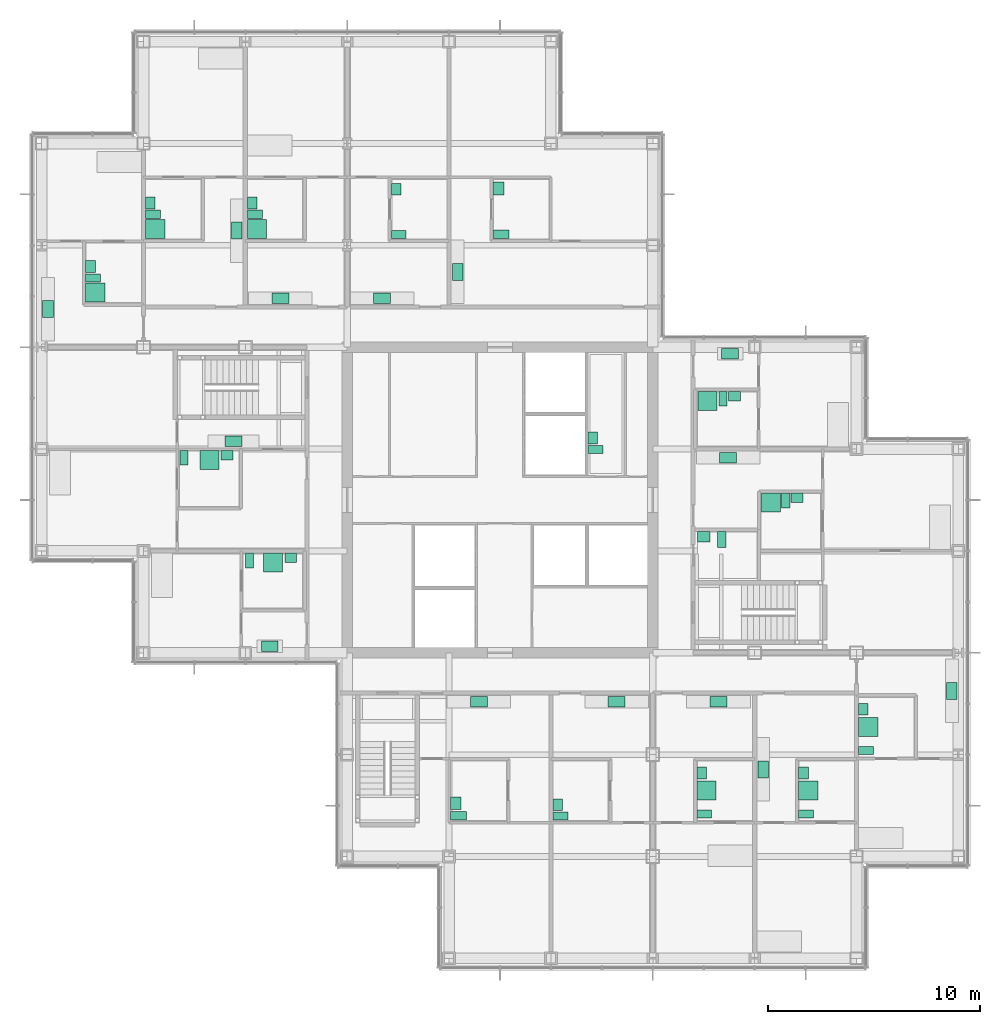
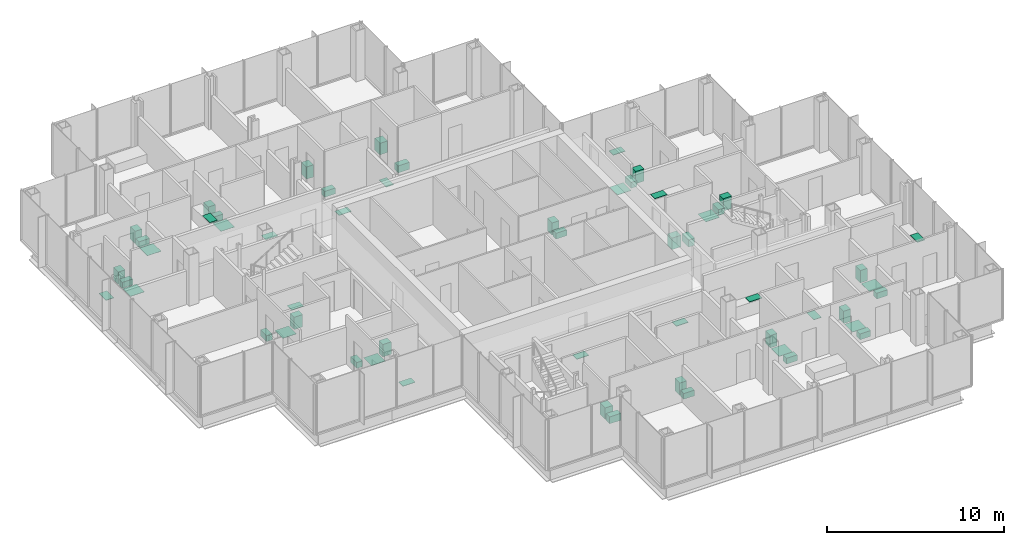
# One storey, part 19 of 20: 56 sanitary terminals.
"""IFC4 building model written with IfcOpenShell, lengths in metres."""

from ifc_helpers import new_model, si_unit, direction, frame, origin, origin_2d, place, context, subcontext, project, spatial, rectangle, extrude, material, type_object, element, save


model = new_model("IFC4")

# Units and contexts
model_context = context("Model", 3, precision=1e-05, world=origin(), true_north=direction((0.0, 1.0)))
body_context = subcontext(model_context, "Body", "Model", "MODEL_VIEW")
ifc_project = project(units=[si_unit("LENGTHUNIT", "METRE"), si_unit("AREAUNIT", "SQUARE_METRE"), si_unit("VOLUMEUNIT", "CUBIC_METRE"), si_unit("PLANEANGLEUNIT", "RADIAN"), si_unit("MASSUNIT", "GRAM", prefix="KILO")], contexts=[model_context])

# Site, building, storey
site_placement = place(None, origin())
site = spatial("IfcSite", under=ifc_project, at=site_placement, CompositionType="ELEMENT")
building_placement = place(site_placement, origin())
building = spatial("IfcBuilding", under=site, at=building_placement, Name="Kvirike Care Tower", CompositionType="ELEMENT")
storey_placement = place(building_placement, frame((0.0, 0.0, 112.0)))
storey = spatial("IfcBuildingStorey", under=building, at=storey_placement, Name="L30", CompositionType="ELEMENT", Elevation=112.0)

# Sanitary terminals
ifc_material_1 = material(Name="Vitreous china", Category="ceramic")
sanitary_terminal_type_1 = type_object("IfcSanitaryTerminalType", Name="ACCESSIBLE WASH BASIN 600 x 500", PredefinedType="WASHHANDBASIN", material=ifc_material_1)
for number, where, z_axis, x_axis, name in (
    (1, (19.511962890625, 21.7099609375, 0.02001953125), (0.0, 0.0, 1.0), (0.0, 1.0, 0.0), "Accessible wash basin L30-024"),
    (2, (21.527099609375, 50.675048828125, 0.02001953125), (0.0, 0.0, 1.0), (0.0, 1.0, 0.0), "Accessible wash basin L30-031"),
    (3, (31.199951171875, 34.27294921875, 0.02001953125), (0.0, 0.0, 1.0), (1.0, 0.0, 0.0), "Accessible wash basin L30-050"),
):
    element("IfcSanitaryTerminal", number, at=place(storey_placement, frame(where, z_axis=z_axis, x_axis=x_axis)), inside=storey, type_object=sanitary_terminal_type_1, Name=name, PredefinedType="WASHHANDBASIN", context=body_context, shape_type="SweptSolid", body=[
        extrude(rectangle(XDim=0.60009765625, YDim=0.5, at=origin_2d()), origin(), (0.0, 0.0, 1.0), 0.800048828125),
    ])
ifc_material_2 = material(Name="Vitreous china", Category="ceramic")
sanitary_terminal_type_2 = type_object("IfcSanitaryTerminalType", Name="ACCESSIBLE WC PAN 400 x 750", PredefinedType="TOILETPAN", material=ifc_material_2)
for number, where, z_axis, x_axis, name in (
    (4, (19.636962890625, 21.110107421875, 0.02001953125), (0.0, 0.0, 1.0), (0.0, 1.0, 0.0), "Accessible WC pan L30-024"),
    (5, (21.652099609375, 48.52490234375, 0.02001953125), (0.0, 0.0, 1.0), (0.0, 1.0, 0.0), "Accessible WC pan L30-031"),
    (6, (32.050048828125, 34.14794921875, 0.02001953125), (0.0, 0.0, 1.0), (1.0, 0.0, 0.0), "Accessible WC pan L30-050"),
):
    element("IfcSanitaryTerminal", number, at=place(storey_placement, frame(where, z_axis=z_axis, x_axis=x_axis)), inside=storey, type_object=sanitary_terminal_type_2, Name=name, PredefinedType="TOILETPAN", context=body_context, shape_type="SweptSolid", body=[
        extrude(rectangle(XDim=0.39990234375, YDim=0.75, at=origin_2d()), origin(), (0.0, 0.0, 1.0), 0.47998046875),
    ])
ifc_material_3 = material(Name="Stainless steel", Category="steel")
sanitary_terminal_type_3 = type_object("IfcSanitaryTerminalType", Name="KITCHEN SINK 800 x 500", PredefinedType="SINK", material=ifc_material_3)
for number, where, z_axis, x_axis, name in (
    (7, (9.050048828125, 38.761962890625, 0.89990234375), (0.0, 0.0, 1.0), (-1.0, 0.0, 0.0), "Kitchen sink L30-006"),
    (8, (10.75, 29.10205078125, 0.89990234375), (0.0, 0.0, 1.0), (-1.0, 0.0, 0.0), "Kitchen sink L30-010"),
    (9, (11.25, 45.501953125, 0.89990234375), (0.0, 0.0, 1.0), (-1.0, 0.0, 0.0), "Kitchen sink L30-014"),
    (10, (9.197998046875, 48.68994140625, 0.89990234375), (0.0, 0.0, 1.0), (0.0, -1.0, 0.0), "Kitchen sink L30-017"),
    (11, (0.302001953125, 44.993896484375, 0.89990234375), (0.0, 0.0, 1.0), (0.0, 1.0, 0.0), "Kitchen sink L30-020"),
    (12, (20.60009765625, 26.498046875, 0.89990234375), (0.0, 0.0, 1.0), (1.0, 0.0, 0.0), "Kitchen sink L30-025"),
    (13, (27.10009765625, 26.498046875, 0.89990234375), (0.0, 0.0, 1.0), (1.0, 0.0, 0.0), "Kitchen sink L30-028"),
    (14, (19.60205078125, 46.75, 0.89990234375), (0.0, 0.0, 1.0), (0.0, 1.0, 0.0), "Kitchen sink L30-032"),
    (15, (16.050048828125, 45.501953125, 0.89990234375), (0.0, 0.0, 1.0), (-1.0, 0.0, 0.0), "Kitchen sink L30-035"),
    (16, (31.89990234375, 26.498046875, 0.89990234375), (0.0, 0.0, 1.0), (1.0, 0.0, 0.0), "Kitchen sink L30-039"),
    (17, (34.001953125, 23.31005859375, 0.89990234375), (0.0, 0.0, 1.0), (0.0, 1.0, 0.0), "Kitchen sink L30-042"),
    (18, (42.89794921875, 27.006103515625, 0.89990234375), (0.0, 0.0, 1.0), (0.0, -1.0, 0.0), "Kitchen sink L30-045"),
    (19, (32.35009765625, 37.998046875, 0.89990234375), (0.0, 0.0, 1.0), (1.0, 0.0, 0.0), "Kitchen sink L30-052"),
    (20, (32.449951171875, 42.89794921875, 0.89990234375), (0.0, 0.0, 1.0), (1.0, 0.0, 0.0), "Kitchen sink L30-055"),
):
    element("IfcSanitaryTerminal", number, at=place(storey_placement, frame(where, z_axis=z_axis, x_axis=x_axis)), inside=storey, type_object=sanitary_terminal_type_3, Name=name, PredefinedType="SINK", context=body_context, shape_type="SweptSolid", body=[
        extrude(rectangle(XDim=0.800048828125, YDim=0.5, at=origin_2d()), origin(), (0.0, 0.0, 1.0), 0.030029296875),
    ])
ifc_material_4 = material(Name="Stainless steel", Category="steel")
sanitary_terminal_type_4 = type_object("IfcSanitaryTerminalType", Name="LEVEL-ACCESS SHOWER 900 x 900", PredefinedType="SHOWER", material=ifc_material_4)
for number, where, z_axis, x_axis, name in (
    (21, (7.909912109375, 37.887939453125, 0.02001953125), (0.0, 0.0, 1.0), (1.0, 0.0, 0.0), "Level-access shower L30-005"),
    (22, (10.909912109375, 33.048095703125, 0.02001953125), (0.0, 0.0, 1.0), (1.0, 0.0, 0.0), "Level-access shower L30-009"),
    (23, (10.152099609375, 48.77490234375, 0.02001953125), (0.0, 0.0, 1.0), (0.0, 1.0, 0.0), "Level-access shower L30-013"),
    (24, (5.35205078125, 48.77490234375, 0.02001953125), (0.0, 0.0, 1.0), (0.0, 1.0, 0.0), "Level-access shower L30-016"),
    (25, (2.527099609375, 45.77490234375, 0.02001953125), (0.0, 0.0, 1.0), (0.0, 1.0, 0.0), "Level-access shower L30-019"),
    (26, (31.326904296875, 22.31005859375, 0.02001953125), (0.0, 0.0, 1.0), (0.0, 1.0, 0.0), "Level-access shower L30-038"),
    (27, (36.126953125, 22.31005859375, 0.02001953125), (0.0, 0.0, 1.0), (0.0, 1.0, 0.0), "Level-access shower L30-041"),
    (28, (38.951904296875, 25.31005859375, 0.02001953125), (0.0, 0.0, 1.0), (0.0, 1.0, 0.0), "Level-access shower L30-044"),
    (29, (34.375, 35.873046875, 0.02001953125), (0.0, 0.0, 1.0), (1.0, 0.0, 0.0), "Level-access shower L30-051"),
    (30, (31.375, 40.673095703125, 0.02001953125), (0.0, 0.0, 1.0), (1.0, 0.0, 0.0), "Level-access shower L30-054"),
):
    element("IfcSanitaryTerminal", number, at=place(storey_placement, frame(where, z_axis=z_axis, x_axis=x_axis)), inside=storey, type_object=sanitary_terminal_type_4, Name=name, PredefinedType="SHOWER", context=body_context, shape_type="SweptSolid", body=[
        extrude(rectangle(XDim=0.89990234375, YDim=0.89990234375, at=origin_2d()), origin(), (0.0, 0.0, 1.0), 0.02001953125),
    ])
ifc_material_5 = material(Name="Vitreous china", Category="ceramic")
sanitary_terminal_type_5 = type_object("IfcSanitaryTerminalType", Name="WASH BASIN 550 x 450", PredefinedType="WASHHANDBASIN", material=ifc_material_5)
for number, where, z_axis, x_axis, name in (
    (31, (8.735107421875, 38.113037109375, 0.02001953125), (0.0, 0.0, 1.0), (1.0, 0.0, 0.0), "Wash basin L30-005"),
    (32, (11.735107421875, 33.27294921875, 0.02001953125), (0.0, 0.0, 1.0), (1.0, 0.0, 0.0), "Wash basin L30-009"),
    (33, (9.927001953125, 50.0, 0.02001953125), (0.0, 0.0, 1.0), (0.0, 1.0, 0.0), "Wash basin L30-013"),
    (34, (5.126953125, 50.0, 0.02001953125), (0.0, 0.0, 1.0), (0.0, 1.0, 0.0), "Wash basin L30-016"),
    (35, (2.302001953125, 47.0, 0.02001953125), (0.0, 0.0, 1.0), (0.0, 1.0, 0.0), "Wash basin L30-019"),
    (36, (24.326904296875, 21.635009765625, 0.02001953125), (0.0, 0.0, 1.0), (0.0, 1.0, 0.0), "Wash basin L30-027"),
    (37, (16.701904296875, 50.64990234375, 0.02001953125), (0.0, 0.0, 1.0), (0.0, 1.0, 0.0), "Wash basin L30-034"),
    (38, (31.10205078125, 23.135009765625, 0.02001953125), (0.0, 0.0, 1.0), (0.0, 1.0, 0.0), "Wash basin L30-038"),
    (39, (35.902099609375, 23.135009765625, 0.02001953125), (0.0, 0.0, 1.0), (0.0, 1.0, 0.0), "Wash basin L30-041"),
    (40, (38.72705078125, 26.135009765625, 0.02001953125), (0.0, 0.0, 1.0), (0.0, 1.0, 0.0), "Wash basin L30-044"),
    (41, (35.60009765625, 36.097900390625, 0.02001953125), (0.0, 0.0, 1.0), (1.0, 0.0, 0.0), "Wash basin L30-051"),
    (42, (32.64990234375, 40.89794921875, 0.02001953125), (0.0, 0.0, 1.0), (1.0, 0.0, 0.0), "Wash basin L30-054"),
    (43, (25.97705078125, 38.925048828125, 0.02001953125), (0.0, 0.0, 1.0), (0.0, 1.0, 0.0), "Wash basin L30-062"),
):
    element("IfcSanitaryTerminal", number, at=place(storey_placement, frame(where, z_axis=z_axis, x_axis=x_axis)), inside=storey, type_object=sanitary_terminal_type_5, Name=name, PredefinedType="WASHHANDBASIN", context=body_context, shape_type="SweptSolid", body=[
        extrude(rectangle(XDim=0.550048828125, YDim=0.449951171875, at=origin_2d()), origin(), (0.0, 0.0, 1.0), 0.85009765625),
    ])
ifc_material_6 = material(Name="Vitreous china", Category="ceramic")
sanitary_terminal_type_6 = type_object("IfcSanitaryTerminalType", Name="WC PAN 380 x 700", PredefinedType="TOILETPAN", material=ifc_material_6)
for number, where, z_axis, x_axis, name in (
    (44, (6.699951171875, 37.988037109375, 0.02001953125), (0.0, 0.0, 1.0), (1.0, 0.0, 0.0), "WC pan L30-005"),
    (45, (9.800048828125, 33.14794921875, 0.02001953125), (0.0, 0.0, 1.0), (1.0, 0.0, 0.0), "WC pan L30-009"),
    (46, (10.052001953125, 49.465087890625, 0.02001953125), (0.0, 0.0, 1.0), (0.0, 1.0, 0.0), "WC pan L30-013"),
    (47, (5.251953125, 49.465087890625, 0.02001953125), (0.0, 0.0, 1.0), (0.0, 1.0, 0.0), "WC pan L30-016"),
    (48, (2.427001953125, 46.465087890625, 0.02001953125), (0.0, 0.0, 1.0), (0.0, 1.0, 0.0), "WC pan L30-019"),
    (49, (24.451904296875, 21.10009765625, 0.02001953125), (0.0, 0.0, 1.0), (0.0, 1.0, 0.0), "WC pan L30-027"),
    (50, (16.826904296875, 48.514892578125, 0.02001953125), (0.0, 0.0, 1.0), (0.0, 1.0, 0.0), "WC pan L30-034"),
    (51, (31.22705078125, 21.199951171875, 0.02001953125), (0.0, 0.0, 1.0), (0.0, 1.0, 0.0), "WC pan L30-038"),
    (52, (36.027099609375, 21.199951171875, 0.02001953125), (0.0, 0.0, 1.0), (0.0, 1.0, 0.0), "WC pan L30-041"),
    (53, (38.85205078125, 24.199951171875, 0.02001953125), (0.0, 0.0, 1.0), (0.0, 1.0, 0.0), "WC pan L30-044"),
    (54, (35.06494140625, 35.972900390625, 0.02001953125), (0.0, 0.0, 1.0), (1.0, 0.0, 0.0), "WC pan L30-051"),
    (55, (32.114990234375, 40.77294921875, 0.02001953125), (0.0, 0.0, 1.0), (1.0, 0.0, 0.0), "WC pan L30-054"),
    (56, (26.10205078125, 38.389892578125, 0.02001953125), (0.0, 0.0, 1.0), (0.0, 1.0, 0.0), "WC pan L30-062"),
):
    element("IfcSanitaryTerminal", number, at=place(storey_placement, frame(where, z_axis=z_axis, x_axis=x_axis)), inside=storey, type_object=sanitary_terminal_type_6, Name=name, PredefinedType="TOILETPAN", context=body_context, shape_type="SweptSolid", body=[
        extrude(rectangle(XDim=0.3798828125, YDim=0.699951171875, at=origin_2d()), origin(), (0.0, 0.0, 1.0), 0.39990234375),
    ])

save(model, "model.ifc")
